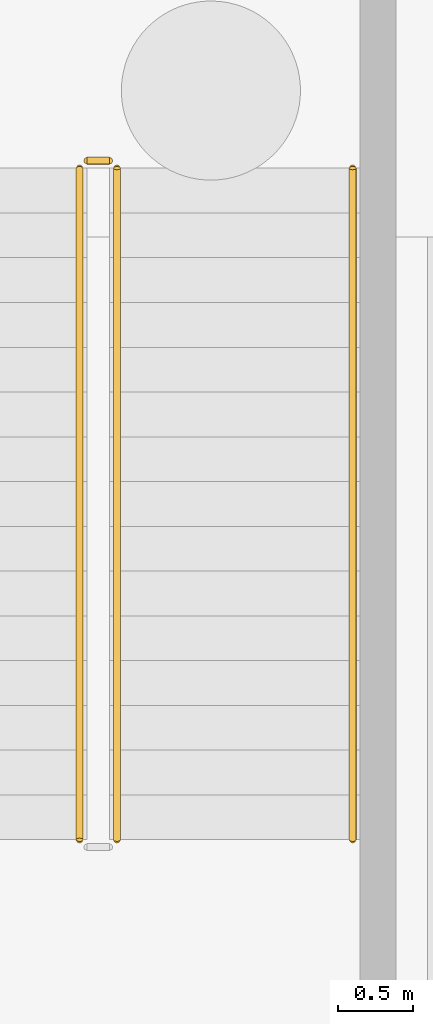
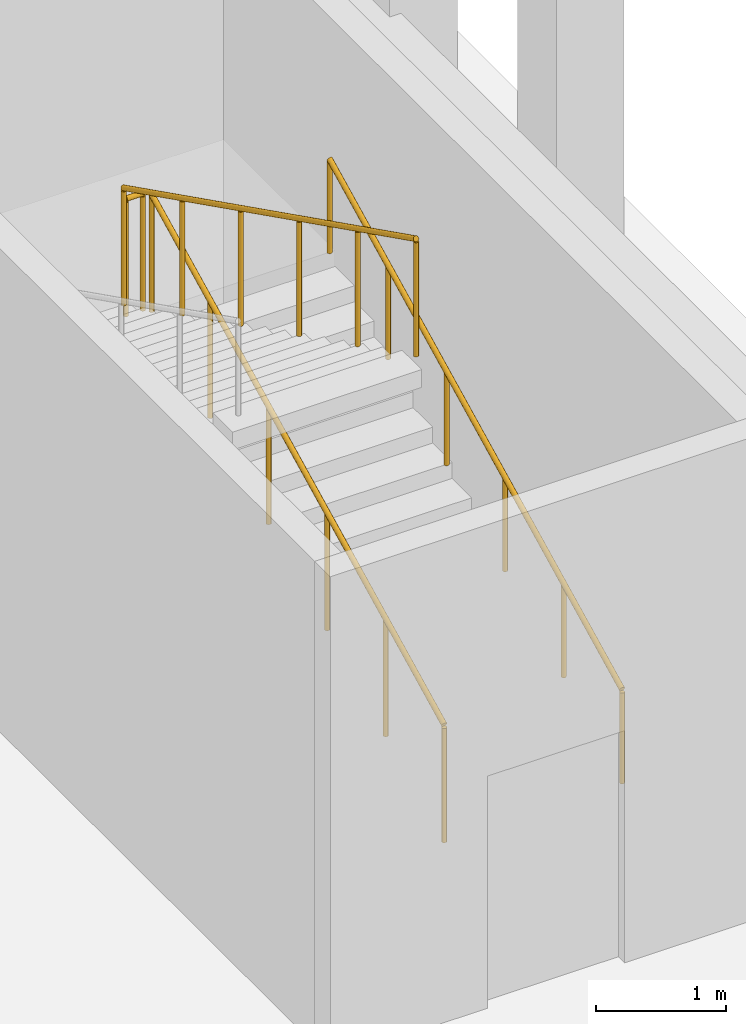
# One storey, part 43 of 44: 4 railings.
"""IFC4 building model written with IfcOpenShell, lengths in metres."""

from ifc_helpers import new_model, si_unit, direction, frame, origin, origin_2d, place, context, subcontext, project, spatial, circle, extrude, material, layer, layer_set, type_object, element, save


model = new_model("IFC4")

# Units and contexts
model_context = context("Model", 3, precision=1e-05, world=origin(), true_north=direction((0.0, 1.0)))
body_context = subcontext(model_context, "Body", "Model", "MODEL_VIEW")
ifc_project = project(units=[si_unit("LENGTHUNIT", "METRE"), si_unit("AREAUNIT", "SQUARE_METRE"), si_unit("VOLUMEUNIT", "CUBIC_METRE"), si_unit("PLANEANGLEUNIT", "RADIAN"), si_unit("MASSUNIT", "GRAM", prefix="KILO")], contexts=[model_context])

# Site, building, storey
site_placement = place(None, origin())
site = spatial("IfcSite", under=ifc_project, at=site_placement, CompositionType="ELEMENT")
building_placement = place(site_placement, origin())
building = spatial("IfcBuilding", under=site, at=building_placement, Name="Yukiwa Park Conservatory and Herbarium", CompositionType="ELEMENT")
storey_placement = place(building_placement, frame((0.0, 0.0, -4.800048828125)))
storey = spatial("IfcBuildingStorey", under=building, at=storey_placement, Name="B1", CompositionType="ELEMENT", Elevation=-4.800048828125)

# Railings
ifc_material_1 = material(Name="Steel Q235B", Category="steel")
ifc_layer_1 = layer(ifc_material_1, 0.050048828125)
ifc_layer_set_1 = layer_set([ifc_layer_1], Name="Steel Q235B")
railing_type_1 = type_object("IfcRailingType", Name="RL-STAIR-GUARD-1120", PredefinedType="BALUSTRADE", material=ifc_layer_set_1)
railing_1_placement = place(storey_placement, frame((165.570068359375, 108.3798828125, 0.150146484375)))
element("IfcRailing", 1, at=railing_1_placement, inside=storey, type_object=railing_type_1, Name="B1 ST-T3 stair guard 1", PredefinedType="BALUSTRADE", context=body_context, shape_type="SweptSolid", body=[
    extrude(circle(Radius=0.02392578125, at=origin_2d()), frame((0.0, 0.0, 1.09619140625), z_axis=(0.0, 0.894427191, 0.4472135955), x_axis=(-1.0, 0.0, 0.0)), (0.0, 0.0, 1.0), 5.03125),
    extrude(circle(Radius=0.02099609375, at=origin_2d()), origin(), (0.0, 0.0, 1.0), 1.072021484375),
    extrude(circle(Radius=0.02099609375, at=origin_2d()), frame((0.0, 0.89990234375, 0.449951171875)), (0.0, 0.0, 1.0), 1.072021484375),
    extrude(circle(Radius=0.02099609375, at=origin_2d()), frame((0.0, 1.800048828125, 0.89990234375)), (0.0, 0.0, 1.0), 1.072021484375),
    extrude(circle(Radius=0.02099609375, at=origin_2d()), frame((0.0, 2.699951171875, 1.35009765625)), (0.0, 0.0, 1.0), 1.072021484375),
    extrude(circle(Radius=0.02099609375, at=origin_2d()), frame((0.0, 3.60009765625, 1.800048828125)), (0.0, 0.0, 1.0), 1.072021484375),
    extrude(circle(Radius=0.02099609375, at=origin_2d()), frame((0.0, 4.5, 2.25)), (0.0, 0.0, 1.0), 1.072021484375),
])
railing_2_placement = place(storey_placement, frame((165.52001953125, 112.929931640625, 2.400146484375)))
element("IfcRailing", 2, at=railing_2_placement, inside=storey, type_object=railing_type_1, Name="B1 ST-T3 stair guard 2", PredefinedType="BALUSTRADE", context=body_context, shape_type="SweptSolid", body=[
    extrude(circle(Radius=0.02392578125, at=origin_2d()), frame((0.0, 0.0, 1.09619140625), z_axis=(-1.0, 0.0, 0.0), x_axis=(0.0, -1.0, 0.0)), (0.0, 0.0, 1.0), 0.14990234375),
    extrude(circle(Radius=0.02099609375, at=origin_2d()), origin(), (0.0, 0.0, 1.0), 1.072021484375),
    extrude(circle(Radius=0.02099609375, at=origin_2d()), frame((-0.14990234375, 0.0, 0.0)), (0.0, 0.0, 1.0), 1.072021484375),
])
railing_3_placement = place(storey_placement, frame((165.320068359375, 112.8798828125, 2.550048828125)))
element("IfcRailing", 3, at=railing_3_placement, inside=storey, type_object=railing_type_1, Name="B1 ST-T3 stair guard 3", PredefinedType="BALUSTRADE", context=body_context, shape_type="SweptSolid", body=[
    extrude(circle(Radius=0.02392578125, at=origin_2d()), frame((0.0, 0.0, 1.09619140625), z_axis=(0.0, -0.894427191, 0.4472135955), x_axis=(1.0, 0.0, 0.0)), (0.0, 0.0, 1.0), 5.03125),
    extrude(circle(Radius=0.02099609375, at=origin_2d()), origin(), (0.0, 0.0, 1.0), 1.072021484375),
    extrude(circle(Radius=0.02099609375, at=origin_2d()), frame((0.0, -0.89990234375, 0.449951171875)), (0.0, 0.0, 1.0), 1.072021484375),
    extrude(circle(Radius=0.02099609375, at=origin_2d()), frame((0.0, -1.800048828125, 0.89990234375)), (0.0, 0.0, 1.0), 1.072021484375),
    extrude(circle(Radius=0.02099609375, at=origin_2d()), frame((0.0, -2.699951171875, 1.35009765625)), (0.0, 0.0, 1.0), 1.072021484375),
    extrude(circle(Radius=0.02099609375, at=origin_2d()), frame((0.0, -3.60009765625, 1.800048828125)), (0.0, 0.0, 1.0), 1.072021484375),
    extrude(circle(Radius=0.02099609375, at=origin_2d()), frame((0.0, -4.5, 2.25)), (0.0, 0.0, 1.0), 1.072021484375),
])
ifc_material_2 = material(Name="Steel Q235B", Category="steel")
ifc_layer_2 = layer(ifc_material_2, 0.044921875)
ifc_layer_set_2 = layer_set([ifc_layer_2], Name="Steel Q235B")
railing_type_2 = type_object("IfcRailingType", Name="RL-STAIR-RAIL-900", PredefinedType="HANDRAIL", material=ifc_layer_set_2)
railing_4_placement = place(storey_placement, frame((167.14990234375, 108.3798828125, 0.150146484375)))
element("IfcRailing", 4, at=railing_4_placement, inside=storey, type_object=railing_type_2, Name="B1 ST-T3 stair handrail 1", PredefinedType="HANDRAIL", context=body_context, shape_type="SweptSolid", body=[
    extrude(circle(Radius=0.02392578125, at=origin_2d()), frame((0.0, 0.0, 0.8759765625), z_axis=(0.0, 0.894427191, 0.4472135955), x_axis=(-1.0, 0.0, 0.0)), (0.0, 0.0, 1.0), 5.03125),
    extrude(circle(Radius=0.02099609375, at=origin_2d()), origin(), (0.0, 0.0, 1.0), 0.851806640625),
    extrude(circle(Radius=0.02099609375, at=origin_2d()), frame((0.0, 0.89990234375, 0.449951171875)), (0.0, 0.0, 1.0), 0.851806640625),
    extrude(circle(Radius=0.02099609375, at=origin_2d()), frame((0.0, 1.800048828125, 0.89990234375)), (0.0, 0.0, 1.0), 0.851806640625),
    extrude(circle(Radius=0.02099609375, at=origin_2d()), frame((0.0, 2.699951171875, 1.35009765625)), (0.0, 0.0, 1.0), 0.851806640625),
    extrude(circle(Radius=0.02099609375, at=origin_2d()), frame((0.0, 3.60009765625, 1.800048828125)), (0.0, 0.0, 1.0), 0.851806640625),
    extrude(circle(Radius=0.02099609375, at=origin_2d()), frame((0.0, 4.5, 2.25)), (0.0, 0.0, 1.0), 0.851806640625),
])

save(model, "model.ifc")
